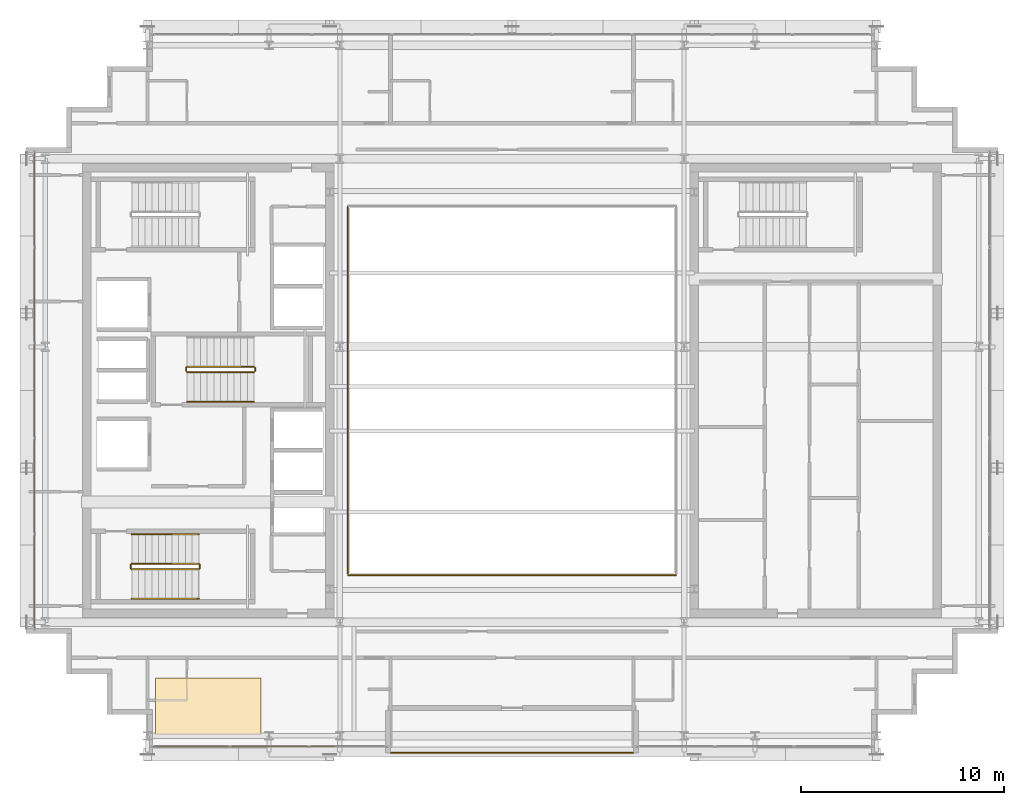
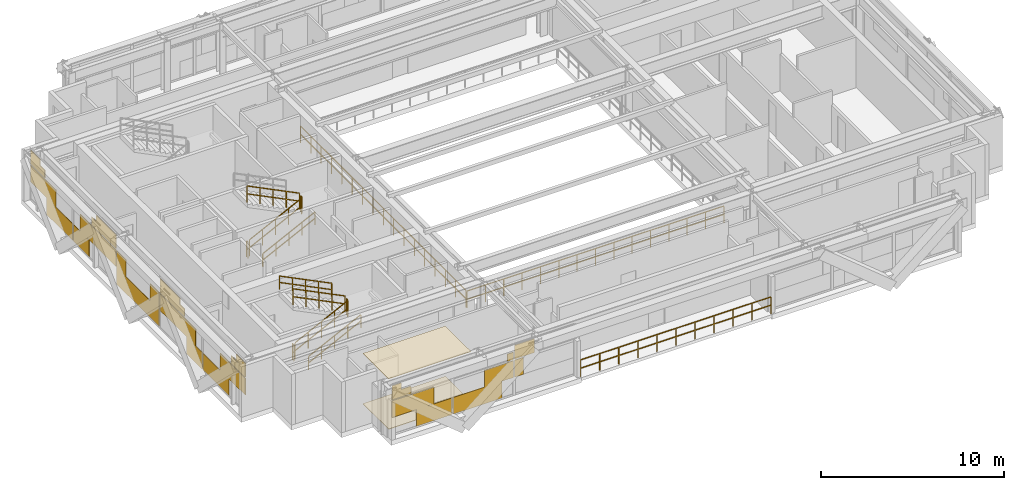
# One storey, part 26 of 29: 14 railings, 4 coverings.
"""IFC4 building model written with IfcOpenShell, lengths in metres."""

from ifc_helpers import new_model, si_unit, direction, frame, origin, origin_2d, place, context, subcontext, project, spatial, polyline, rectangle, outline, extrude, material, layer, layer_set, type_object, element, save


model = new_model("IFC4")

# Units and contexts
model_context = context("Model", 3, precision=1e-05, world=origin(), true_north=direction((0.0, 1.0)))
body_context = subcontext(model_context, "Body", "Model", "MODEL_VIEW")
ifc_project = project(units=[si_unit("LENGTHUNIT", "METRE"), si_unit("AREAUNIT", "SQUARE_METRE"), si_unit("VOLUMEUNIT", "CUBIC_METRE"), si_unit("PLANEANGLEUNIT", "RADIAN"), si_unit("MASSUNIT", "GRAM", prefix="KILO")], contexts=[model_context])

# Site, building, storey
site_placement = place(None, origin())
site = spatial("IfcSite", under=ifc_project, at=site_placement, CompositionType="ELEMENT")
building_placement = place(site_placement, origin())
building = spatial("IfcBuilding", under=site, at=building_placement, Name="Ocotamira Hotel", CompositionType="ELEMENT")
storey_placement = place(building_placement, frame((0.0, 0.0, 247.199951171875)))
storey = spatial("IfcBuildingStorey", under=building, at=storey_placement, Name="L62", CompositionType="ELEMENT", Elevation=247.199951171875)

# Coverings
ifc_material_1 = material(Name="Perforated acoustic gypsum ceiling board", Category="gypsum")
ifc_layer_1 = layer(ifc_material_1, 0.02490234375)
ifc_layer_set_1 = layer_set([ifc_layer_1], Name="Perforated acoustic gypsum ceiling board")
covering_type_1 = type_object("IfcCoveringType", Name="COV-CEIL-25", PredefinedType="CEILING", material=ifc_layer_set_1)
covering_1_placement = place(storey_placement, frame((0.0, 0.0, 3.35498046875)))
element("IfcCovering", 1, at=covering_1_placement, inside=storey, type_object=covering_type_1, Name="L62 Acoustic Ceiling", PredefinedType="CEILING", context=body_context, shape_type="SweptSolid", body=[
    extrude(outline(polyline([(14.39990234375, 9.0), (19.60009765625, 9.0), (19.60009765625, 11.800048828125), (14.39990234375, 11.800048828125), (14.39990234375, 9.0)])), origin(), (0.0, 0.0, 1.0), 0.025146484375),
])
ifc_material_2 = material(Name="Honed desert travertine stone flooring", Category="masonry")
ifc_layer_2 = layer(ifc_material_2, 0.030029296875)
ifc_layer_set_2 = layer_set([ifc_layer_2], Name="Honed desert travertine stone flooring")
covering_type_2 = type_object("IfcCoveringType", Name="COV-FLOR-30", PredefinedType="FLOORING", material=ifc_layer_set_2)
covering_2_placement = place(storey_placement, origin())
element("IfcCovering", 2, at=covering_2_placement, inside=storey, type_object=covering_type_2, Name="L62 Honed Stone Floor Finish", PredefinedType="FLOORING", context=body_context, shape_type="SweptSolid", body=[
    extrude(outline(polyline([(14.39990234375, 9.0), (19.60009765625, 9.0), (19.60009765625, 11.800048828125), (14.39990234375, 11.800048828125), (14.39990234375, 9.0)])), origin(), (0.0, 0.0, 1.0), 0.030029296875),
])
ifc_material_3 = material(Name="Insulated pale-metal aluminium spandrel panel", Category="aluminium")
ifc_layer_3 = layer(ifc_material_3, 0.044921875)
ifc_layer_set_3 = layer_set([ifc_layer_3], Name="Insulated pale-metal aluminium spandrel panel")
covering_type_3 = type_object("IfcCoveringType", Name="COV-INFILL-45", PredefinedType="CLADDING", material=ifc_layer_set_3)
covering_3_placement = place(storey_placement, origin())
element("IfcCovering", 3, at=covering_3_placement, inside=storey, type_object=covering_type_3, Name="L62 Curtain Wall Infill CW-5 CW-L62-S1", PredefinedType="CLADDING", context=body_context, shape_type="SweptSolid", body=[
    extrude(rectangle(XDim=2.625, YDim=0.044921875, at=origin_2d()), frame((15.593017578125, 8.419921875, 1.1943359375), z_axis=(0.0, 0.0, 1.0), x_axis=(1.0, 0.0, 0.0)), (0.0, 0.0, 1.0), 1.11767578125),
    extrude(rectangle(XDim=2.238525390625, YDim=0.044921875, at=origin_2d()), frame((16.923583984375, 8.419921875, 0.07568359375), z_axis=(0.0, 0.0, 1.0), x_axis=(1.0, 0.0, 0.0)), (0.0, 0.0, 1.0), 1.117919921875),
    extrude(rectangle(XDim=1.173095703125, YDim=0.044921875, at=origin_2d()), frame((14.8671875, 8.419921875, 2.38818359375), z_axis=(0.0, 0.0, 1.0), x_axis=(1.0, 0.0, 0.0)), (0.0, 0.0, 1.0), 0.487060546875),
    extrude(rectangle(XDim=0.57958984375, YDim=0.044921875, at=origin_2d()), frame((14.5703125, 8.419921875, 2.8759765625), z_axis=(0.0, 0.0, 1.0), x_axis=(1.0, 0.0, 0.0)), (0.0, 0.0, 1.0), 0.428466796875),
    extrude(rectangle(XDim=3.072021484375, YDim=0.044921875, at=origin_2d()), frame((19.659912109375, 8.419921875, 0.07568359375), z_axis=(0.0, 0.0, 1.0), x_axis=(1.0, 0.0, 0.0)), (0.0, 0.0, 1.0), 1.117919921875),
    extrude(rectangle(XDim=1.831787109375, YDim=0.044921875, at=origin_2d()), frame((21.01025390625, 8.419921875, 1.1943359375), z_axis=(0.0, 0.0, 1.0), x_axis=(1.0, 0.0, 0.0)), (0.0, 0.0, 1.0), 1.11767578125),
    extrude(rectangle(XDim=0.3798828125, YDim=0.044921875, at=origin_2d()), frame((21.736328125, 8.419921875, 2.38818359375), z_axis=(0.0, 0.0, 1.0), x_axis=(1.0, 0.0, 0.0)), (0.0, 0.0, 1.0), 0.487060546875),
    extrude(rectangle(XDim=0.54931640625, YDim=0.044921875, at=origin_2d()), frame((22.28173828125, 8.419921875, 1.1943359375), z_axis=(0.0, 0.0, 1.0), x_axis=(1.0, 0.0, 0.0)), (0.0, 0.0, 1.0), 1.11767578125),
    extrude(rectangle(XDim=1.23388671875, YDim=0.044921875, at=origin_2d()), frame((22.6240234375, 8.419921875, 2.387939453125), z_axis=(0.0, 0.0, 1.0), x_axis=(1.0, 0.0, 0.0)), (0.0, 0.0, 1.0), 0.91650390625),
])
covering_4_placement = place(storey_placement, origin())
element("IfcCovering", 4, at=covering_4_placement, inside=storey, type_object=covering_type_3, Name="L62 Curtain Wall Infill CW-5 CW-L62-W", PredefinedType="CLADDING", context=body_context, shape_type="SweptSolid", body=[
    extrude(rectangle(XDim=2.76904296875, YDim=0.044921875, at=origin_2d()), frame((8.419921875, 15.6650390625, 1.1943359375), z_axis=(0.0, 0.0, 1.0), x_axis=(0.0, 1.0, 0.0)), (0.0, 0.0, 1.0), 1.11767578125),
    extrude(rectangle(XDim=2.834716796875, YDim=0.044921875, at=origin_2d()), frame((8.419921875, 17.462158203125, 0.07568359375), z_axis=(0.0, 0.0, 1.0), x_axis=(0.0, 1.0, 0.0)), (0.0, 0.0, 1.0), 1.117919921875),
    extrude(rectangle(XDim=1.53759765625, YDim=0.044921875, at=origin_2d()), frame((8.419921875, 15.04931640625, 2.38818359375), z_axis=(0.0, 0.0, 1.0), x_axis=(0.0, 1.0, 0.0)), (0.0, 0.0, 1.0), 0.507568359375),
    extrude(rectangle(XDim=1.01318359375, YDim=0.044921875, at=origin_2d()), frame((8.419921875, 14.787109375, 2.896484375), z_axis=(0.0, 0.0, 1.0), x_axis=(0.0, 1.0, 0.0)), (0.0, 0.0, 1.0), 0.407958984375),
    extrude(rectangle(XDim=1.727783203125, YDim=0.044921875, at=origin_2d()), frame((8.419921875, 19.824462890625, 0.07568359375), z_axis=(0.0, 0.0, 1.0), x_axis=(0.0, 1.0, 0.0)), (0.0, 0.0, 1.0), 1.117919921875),
    extrude(rectangle(XDim=3.916015625, YDim=0.044921875, at=origin_2d()), frame((8.419921875, 21.6416015625, 1.1943359375), z_axis=(0.0, 0.0, 1.0), x_axis=(0.0, 1.0, 0.0)), (0.0, 0.0, 1.0), 1.11767578125),
    extrude(rectangle(XDim=2.6845703125, YDim=0.044921875, at=origin_2d()), frame((8.419921875, 22.25732421875, 2.38818359375), z_axis=(0.0, 0.0, 1.0), x_axis=(0.0, 1.0, 0.0)), (0.0, 0.0, 1.0), 0.507568359375),
    extrude(rectangle(XDim=2.159912109375, YDim=0.044921875, at=origin_2d()), frame((8.419921875, 22.51953125, 2.896484375), z_axis=(0.0, 0.0, 1.0), x_axis=(0.0, 1.0, 0.0)), (0.0, 0.0, 1.0), 0.407958984375),
    extrude(rectangle(XDim=4.638916015625, YDim=0.044921875, at=origin_2d()), frame((8.419921875, 26.0, 0.07568359375), z_axis=(0.0, 0.0, 1.0), x_axis=(0.0, 1.0, 0.0)), (0.0, 0.0, 1.0), 1.117919921875),
    extrude(rectangle(XDim=1.00244140625, YDim=0.044921875, at=origin_2d()), frame((8.419921875, 24.181640625, 1.1943359375), z_axis=(0.0, 0.0, 1.0), x_axis=(0.0, 1.0, 0.0)), (0.0, 0.0, 1.0), 1.11767578125),
    extrude(rectangle(XDim=1.00244140625, YDim=0.044921875, at=origin_2d()), frame((8.419921875, 27.818359375, 1.1943359375), z_axis=(0.0, 0.0, 1.0), x_axis=(0.0, 1.0, 0.0)), (0.0, 0.0, 1.0), 1.11767578125),
    extrude(rectangle(XDim=3.916015625, YDim=0.044921875, at=origin_2d()), frame((8.419921875, 30.3583984375, 1.1943359375), z_axis=(0.0, 0.0, 1.0), x_axis=(0.0, 1.0, 0.0)), (0.0, 0.0, 1.0), 1.11767578125),
    extrude(rectangle(XDim=1.727783203125, YDim=0.044921875, at=origin_2d()), frame((8.419921875, 32.175537109375, 0.07568359375), z_axis=(0.0, 0.0, 1.0), x_axis=(0.0, 1.0, 0.0)), (0.0, 0.0, 1.0), 1.117919921875),
    extrude(rectangle(XDim=2.6845703125, YDim=0.044921875, at=origin_2d()), frame((8.419921875, 29.74267578125, 2.38818359375), z_axis=(0.0, 0.0, 1.0), x_axis=(0.0, 1.0, 0.0)), (0.0, 0.0, 1.0), 0.507568359375),
    extrude(rectangle(XDim=2.159912109375, YDim=0.044921875, at=origin_2d()), frame((8.419921875, 29.48046875, 2.896484375), z_axis=(0.0, 0.0, 1.0), x_axis=(0.0, 1.0, 0.0)), (0.0, 0.0, 1.0), 0.407958984375),
    extrude(rectangle(XDim=2.834716796875, YDim=0.044921875, at=origin_2d()), frame((8.419921875, 34.537841796875, 0.07568359375), z_axis=(0.0, 0.0, 1.0), x_axis=(0.0, 1.0, 0.0)), (0.0, 0.0, 1.0), 1.117919921875),
    extrude(rectangle(XDim=2.76904296875, YDim=0.044921875, at=origin_2d()), frame((8.419921875, 36.3349609375, 1.1943359375), z_axis=(0.0, 0.0, 1.0), x_axis=(0.0, 1.0, 0.0)), (0.0, 0.0, 1.0), 1.11767578125),
    extrude(rectangle(XDim=1.53759765625, YDim=0.044921875, at=origin_2d()), frame((8.419921875, 36.95068359375, 2.38818359375), z_axis=(0.0, 0.0, 1.0), x_axis=(0.0, 1.0, 0.0)), (0.0, 0.0, 1.0), 0.507568359375),
    extrude(rectangle(XDim=1.01318359375, YDim=0.044921875, at=origin_2d()), frame((8.419921875, 37.212890625, 2.896484375), z_axis=(0.0, 0.0, 1.0), x_axis=(0.0, 1.0, 0.0)), (0.0, 0.0, 1.0), 0.407958984375),
])

# Railings
ifc_material_4 = material(Name="Laminated glass and pale-metal balustrade", Category="glass")
railing_type_1 = type_object("IfcRailingType", Name="RL-BAL-1150", PredefinedType="BALUSTRADE", material=ifc_material_4)
railing_1_placement = place(storey_placement, frame((26.0, 8.10009765625, 0.0)))
element("IfcRailing", 5, at=railing_1_placement, inside=storey, type_object=railing_type_1, Name="L62 Sky Terrace Balustrade 1", PredefinedType="BALUSTRADE", context=body_context, shape_type="SweptSolid", body=[
    extrude(rectangle(XDim=0.048095703125, YDim=0.048095703125, at=origin_2d()), frame((0.0, 0.0, 1.1259765625), z_axis=(1.0, 0.0, 0.0), x_axis=(0.0, 1.0, 0.0)), (0.0, 0.0, 1.0), 12.0),
    extrude(rectangle(XDim=0.048095703125, YDim=0.048095703125, at=origin_2d()), frame((0.0, 0.0, 0.574951171875), z_axis=(1.0, 0.0, 0.0), x_axis=(0.0, 1.0, 0.0)), (0.0, 0.0, 1.0), 12.0),
    extrude(rectangle(XDim=0.0419921875, YDim=0.0419921875, at=origin_2d()), origin(), (0.0, 0.0, 1.0), 1.101806640625),
    extrude(rectangle(XDim=0.0419921875, YDim=0.0419921875, at=origin_2d()), frame((1.199951171875, 0.0, 0.0)), (0.0, 0.0, 1.0), 1.101806640625),
    extrude(rectangle(XDim=0.0419921875, YDim=0.0419921875, at=origin_2d()), frame((2.39990234375, 0.0, 0.0)), (0.0, 0.0, 1.0), 1.101806640625),
    extrude(rectangle(XDim=0.0419921875, YDim=0.0419921875, at=origin_2d()), frame((3.60009765625, 0.0, 0.0)), (0.0, 0.0, 1.0), 1.101806640625),
    extrude(rectangle(XDim=0.0419921875, YDim=0.0419921875, at=origin_2d()), frame((4.800048828125, 0.0, 0.0)), (0.0, 0.0, 1.0), 1.101806640625),
    extrude(rectangle(XDim=0.0419921875, YDim=0.0419921875, at=origin_2d()), frame((6.0, 0.0, 0.0)), (0.0, 0.0, 1.0), 1.101806640625),
    extrude(rectangle(XDim=0.0419921875, YDim=0.0419921875, at=origin_2d()), frame((7.199951171875, 0.0, 0.0)), (0.0, 0.0, 1.0), 1.101806640625),
    extrude(rectangle(XDim=0.0419921875, YDim=0.0419921875, at=origin_2d()), frame((8.39990234375, 0.0, 0.0)), (0.0, 0.0, 1.0), 1.101806640625),
    extrude(rectangle(XDim=0.0419921875, YDim=0.0419921875, at=origin_2d()), frame((9.60009765625, 0.0, 0.0)), (0.0, 0.0, 1.0), 1.101806640625),
    extrude(rectangle(XDim=0.0419921875, YDim=0.0419921875, at=origin_2d()), frame((10.800048828125, 0.0, 0.0)), (0.0, 0.0, 1.0), 1.101806640625),
    extrude(rectangle(XDim=0.0419921875, YDim=0.0419921875, at=origin_2d()), frame((12.0, 0.0, 0.0)), (0.0, 0.0, 1.0), 1.101806640625),
])
ifc_material_5 = material(Name="Painted steel stair guardrail", Category="steel")
railing_type_2 = type_object("IfcRailingType", Name="RL-EDGE-1150", PredefinedType="GUARDRAIL", material=ifc_material_5)
railing_2_placement = place(storey_placement, frame((23.89990234375, 16.8798828125, 0.0)))
element("IfcRailing", 6, at=railing_2_placement, inside=storey, type_object=railing_type_2, Name="L62 Central Atrium Edge Guardrail S", PredefinedType="GUARDRAIL", context=body_context, shape_type="SweptSolid", body=[
    extrude(rectangle(XDim=0.048095703125, YDim=0.048095703125, at=origin_2d()), frame((0.0, 0.0, 1.1259765625), z_axis=(1.0, 0.0, 0.0), x_axis=(0.0, 1.0, 0.0)), (0.0, 0.0, 1.0), 16.2001953125),
    extrude(rectangle(XDim=0.048095703125, YDim=0.048095703125, at=origin_2d()), frame((0.0, 0.0, 0.574951171875), z_axis=(1.0, 0.0, 0.0), x_axis=(0.0, 1.0, 0.0)), (0.0, 0.0, 1.0), 16.2001953125),
    extrude(rectangle(XDim=0.0419921875, YDim=0.0419921875, at=origin_2d()), origin(), (0.0, 0.0, 1.0), 1.101806640625),
    extrude(rectangle(XDim=0.0419921875, YDim=0.0419921875, at=origin_2d()), frame((1.1572265625, 0.0, 0.0)), (0.0, 0.0, 1.0), 1.101806640625),
    extrude(rectangle(XDim=0.0419921875, YDim=0.0419921875, at=origin_2d()), frame((2.314208984375, 0.0, 0.0)), (0.0, 0.0, 1.0), 1.101806640625),
    extrude(rectangle(XDim=0.0419921875, YDim=0.0419921875, at=origin_2d()), frame((3.471435546875, 0.0, 0.0)), (0.0, 0.0, 1.0), 1.101806640625),
    extrude(rectangle(XDim=0.0419921875, YDim=0.0419921875, at=origin_2d()), frame((4.628662109375, 0.0, 0.0)), (0.0, 0.0, 1.0), 1.101806640625),
    extrude(rectangle(XDim=0.0419921875, YDim=0.0419921875, at=origin_2d()), frame((5.785888671875, 0.0, 0.0)), (0.0, 0.0, 1.0), 1.101806640625),
    extrude(rectangle(XDim=0.0419921875, YDim=0.0419921875, at=origin_2d()), frame((6.94287109375, 0.0, 0.0)), (0.0, 0.0, 1.0), 1.101806640625),
    extrude(rectangle(XDim=0.0419921875, YDim=0.0419921875, at=origin_2d()), frame((8.10009765625, 0.0, 0.0)), (0.0, 0.0, 1.0), 1.101806640625),
    extrude(rectangle(XDim=0.0419921875, YDim=0.0419921875, at=origin_2d()), frame((9.25732421875, 0.0, 0.0)), (0.0, 0.0, 1.0), 1.101806640625),
    extrude(rectangle(XDim=0.0419921875, YDim=0.0419921875, at=origin_2d()), frame((10.414306640625, 0.0, 0.0)), (0.0, 0.0, 1.0), 1.101806640625),
    extrude(rectangle(XDim=0.0419921875, YDim=0.0419921875, at=origin_2d()), frame((11.571533203125, 0.0, 0.0)), (0.0, 0.0, 1.0), 1.101806640625),
    extrude(rectangle(XDim=0.0419921875, YDim=0.0419921875, at=origin_2d()), frame((12.728759765625, 0.0, 0.0)), (0.0, 0.0, 1.0), 1.101806640625),
    extrude(rectangle(XDim=0.0419921875, YDim=0.0419921875, at=origin_2d()), frame((13.885986328125, 0.0, 0.0)), (0.0, 0.0, 1.0), 1.101806640625),
    extrude(rectangle(XDim=0.0419921875, YDim=0.0419921875, at=origin_2d()), frame((15.04296875, 0.0, 0.0)), (0.0, 0.0, 1.0), 1.101806640625),
    extrude(rectangle(XDim=0.0419921875, YDim=0.0419921875, at=origin_2d()), frame((16.2001953125, 0.0, 0.0)), (0.0, 0.0, 1.0), 1.101806640625),
])
railing_3_placement = place(storey_placement, frame((23.8798828125, 35.0400390625, 0.0)))
element("IfcRailing", 7, at=railing_3_placement, inside=storey, type_object=railing_type_2, Name="L62 Central Atrium Edge Guardrail W", PredefinedType="GUARDRAIL", context=body_context, shape_type="SweptSolid", body=[
    extrude(rectangle(XDim=0.048095703125, YDim=0.048095703125, at=origin_2d()), frame((0.0, 0.0, 1.1259765625), z_axis=(0.0, -1.0, 0.0), x_axis=(1.0, 0.0, 0.0)), (0.0, 0.0, 1.0), 18.080078125),
    extrude(rectangle(XDim=0.048095703125, YDim=0.048095703125, at=origin_2d()), frame((0.0, 0.0, 0.574951171875), z_axis=(0.0, -1.0, 0.0), x_axis=(1.0, 0.0, 0.0)), (0.0, 0.0, 1.0), 18.080078125),
    extrude(rectangle(XDim=0.0419921875, YDim=0.0419921875, at=origin_2d()), origin(), (0.0, 0.0, 1.0), 1.101806640625),
    extrude(rectangle(XDim=0.0419921875, YDim=0.0419921875, at=origin_2d()), frame((0.0, -1.1298828125, 0.0)), (0.0, 0.0, 1.0), 1.101806640625),
    extrude(rectangle(XDim=0.0419921875, YDim=0.0419921875, at=origin_2d()), frame((0.0, -2.260009765625, 0.0)), (0.0, 0.0, 1.0), 1.101806640625),
    extrude(rectangle(XDim=0.0419921875, YDim=0.0419921875, at=origin_2d()), frame((0.0, -3.39013671875, 0.0)), (0.0, 0.0, 1.0), 1.101806640625),
    extrude(rectangle(XDim=0.0419921875, YDim=0.0419921875, at=origin_2d()), frame((0.0, -4.52001953125, 0.0)), (0.0, 0.0, 1.0), 1.101806640625),
    extrude(rectangle(XDim=0.0419921875, YDim=0.0419921875, at=origin_2d()), frame((0.0, -5.64990234375, 0.0)), (0.0, 0.0, 1.0), 1.101806640625),
    extrude(rectangle(XDim=0.0419921875, YDim=0.0419921875, at=origin_2d()), frame((0.0, -6.780029296875, 0.0)), (0.0, 0.0, 1.0), 1.101806640625),
    extrude(rectangle(XDim=0.0419921875, YDim=0.0419921875, at=origin_2d()), frame((0.0, -7.91015625, 0.0)), (0.0, 0.0, 1.0), 1.101806640625),
    extrude(rectangle(XDim=0.0419921875, YDim=0.0419921875, at=origin_2d()), frame((0.0, -9.0400390625, 0.0)), (0.0, 0.0, 1.0), 1.101806640625),
    extrude(rectangle(XDim=0.0419921875, YDim=0.0419921875, at=origin_2d()), frame((0.0, -10.169921875, 0.0)), (0.0, 0.0, 1.0), 1.101806640625),
    extrude(rectangle(XDim=0.0419921875, YDim=0.0419921875, at=origin_2d()), frame((0.0, -11.300048828125, 0.0)), (0.0, 0.0, 1.0), 1.101806640625),
    extrude(rectangle(XDim=0.0419921875, YDim=0.0419921875, at=origin_2d()), frame((0.0, -12.43017578125, 0.0)), (0.0, 0.0, 1.0), 1.101806640625),
    extrude(rectangle(XDim=0.0419921875, YDim=0.0419921875, at=origin_2d()), frame((0.0, -13.56005859375, 0.0)), (0.0, 0.0, 1.0), 1.101806640625),
    extrude(rectangle(XDim=0.0419921875, YDim=0.0419921875, at=origin_2d()), frame((0.0, -14.68994140625, 0.0)), (0.0, 0.0, 1.0), 1.101806640625),
    extrude(rectangle(XDim=0.0419921875, YDim=0.0419921875, at=origin_2d()), frame((0.0, -15.820068359375, 0.0)), (0.0, 0.0, 1.0), 1.101806640625),
    extrude(rectangle(XDim=0.0419921875, YDim=0.0419921875, at=origin_2d()), frame((0.0, -16.9501953125, 0.0)), (0.0, 0.0, 1.0), 1.101806640625),
    extrude(rectangle(XDim=0.0419921875, YDim=0.0419921875, at=origin_2d()), frame((0.0, -18.080078125, 0.0)), (0.0, 0.0, 1.0), 1.101806640625),
])
ifc_material_6 = material(Name="Brushed stainless steel handrail", Category="steel")
railing_type_3 = type_object("IfcRailingType", Name="RL-HAND-900", PredefinedType="HANDRAIL", material=ifc_material_6)
railing_4_placement = place(storey_placement, frame((13.22998046875, 15.719970703125, 0.327392578125)))
element("IfcRailing", 8, at=railing_4_placement, inside=storey, type_object=railing_type_3, Name="L62 ST-1 stair handrail 1", PredefinedType="HANDRAIL", context=body_context, shape_type="SweptSolid", body=[
    extrude(rectangle(XDim=0.048095703125, YDim=0.048095703125, at=origin_2d()), frame((0.0, 0.0, 0.8759765625), z_axis=(0.895920123917, 0.0, 0.444215186098), x_axis=(0.0, 1.0, 0.0)), (0.0, 0.0, 1.0), 3.683349609375),
    extrude(rectangle(XDim=0.048095703125, YDim=0.048095703125, at=origin_2d()), frame((0.0, 0.0, 0.449951171875), z_axis=(0.895920123917, 0.0, 0.444215186098), x_axis=(0.0, 1.0, 0.0)), (0.0, 0.0, 1.0), 3.683349609375),
    extrude(rectangle(XDim=0.0419921875, YDim=0.0419921875, at=origin_2d()), origin(), (0.0, 0.0, 1.0), 0.851806640625),
    extrude(rectangle(XDim=0.0419921875, YDim=0.0419921875, at=origin_2d()), frame((0.824951171875, 0.0, 0.4091796875)), (0.0, 0.0, 1.0), 0.851806640625),
    extrude(rectangle(XDim=0.0419921875, YDim=0.0419921875, at=origin_2d()), frame((1.64990234375, 0.0, 0.818115234375)), (0.0, 0.0, 1.0), 0.851806640625),
    extrude(rectangle(XDim=0.0419921875, YDim=0.0419921875, at=origin_2d()), frame((2.47509765625, 0.0, 1.22705078125)), (0.0, 0.0, 1.0), 0.851806640625),
    extrude(rectangle(XDim=0.0419921875, YDim=0.0419921875, at=origin_2d()), frame((3.300048828125, 0.0, 1.63623046875)), (0.0, 0.0, 1.0), 0.851806640625),
])
railing_5_placement = place(storey_placement, frame((16.530029296875, 18.89990234375, 2.12744140625)))
element("IfcRailing", 9, at=railing_5_placement, inside=storey, type_object=railing_type_3, Name="L62 ST-1 stair handrail 2", PredefinedType="HANDRAIL", context=body_context, shape_type="SweptSolid", body=[
    extrude(rectangle(XDim=0.048095703125, YDim=0.048095703125, at=origin_2d()), frame((0.0, 0.0, 0.8759765625), z_axis=(-0.895920123917, 0.0, 0.444215186098), x_axis=(0.0, -1.0, 0.0)), (0.0, 0.0, 1.0), 3.683349609375),
    extrude(rectangle(XDim=0.048095703125, YDim=0.048095703125, at=origin_2d()), frame((0.0, 0.0, 0.449951171875), z_axis=(-0.895920123917, 0.0, 0.444215186098), x_axis=(0.0, -1.0, 0.0)), (0.0, 0.0, 1.0), 3.683349609375),
    extrude(rectangle(XDim=0.0419921875, YDim=0.0419921875, at=origin_2d()), origin(), (0.0, 0.0, 1.0), 0.851806640625),
    extrude(rectangle(XDim=0.0419921875, YDim=0.0419921875, at=origin_2d()), frame((-0.824951171875, 0.0, 0.4091796875)), (0.0, 0.0, 1.0), 0.851806640625),
    extrude(rectangle(XDim=0.0419921875, YDim=0.0419921875, at=origin_2d()), frame((-1.64990234375, 0.0, 0.818115234375)), (0.0, 0.0, 1.0), 0.851806640625),
    extrude(rectangle(XDim=0.0419921875, YDim=0.0419921875, at=origin_2d()), frame((-2.47509765625, 0.0, 1.22705078125)), (0.0, 0.0, 1.0), 0.851806640625),
    extrude(rectangle(XDim=0.0419921875, YDim=0.0419921875, at=origin_2d()), frame((-3.300048828125, 0.0, 1.63623046875)), (0.0, 0.0, 1.0), 0.851806640625),
])
railing_6_placement = place(storey_placement, frame((15.9599609375, 25.449951171875, 0.327392578125)))
element("IfcRailing", 10, at=railing_6_placement, inside=storey, type_object=railing_type_3, Name="L62 ST-3 stair handrail 1", PredefinedType="HANDRAIL", context=body_context, shape_type="SweptSolid", body=[
    extrude(rectangle(XDim=0.048095703125, YDim=0.048095703125, at=origin_2d()), frame((0.0, 0.0, 0.8759765625), z_axis=(0.895920123917, 0.0, 0.444215186098), x_axis=(0.0, 1.0, 0.0)), (0.0, 0.0, 1.0), 3.683349609375),
    extrude(rectangle(XDim=0.048095703125, YDim=0.048095703125, at=origin_2d()), frame((0.0, 0.0, 0.449951171875), z_axis=(0.895920123917, 0.0, 0.444215186098), x_axis=(0.0, 1.0, 0.0)), (0.0, 0.0, 1.0), 3.683349609375),
    extrude(rectangle(XDim=0.0419921875, YDim=0.0419921875, at=origin_2d()), origin(), (0.0, 0.0, 1.0), 0.851806640625),
    extrude(rectangle(XDim=0.0419921875, YDim=0.0419921875, at=origin_2d()), frame((0.824951171875, 0.0, 0.4091796875)), (0.0, 0.0, 1.0), 0.851806640625),
    extrude(rectangle(XDim=0.0419921875, YDim=0.0419921875, at=origin_2d()), frame((1.64990234375, 0.0, 0.818115234375)), (0.0, 0.0, 1.0), 0.851806640625),
    extrude(rectangle(XDim=0.0419921875, YDim=0.0419921875, at=origin_2d()), frame((2.47509765625, 0.0, 1.22705078125)), (0.0, 0.0, 1.0), 0.851806640625),
    extrude(rectangle(XDim=0.0419921875, YDim=0.0419921875, at=origin_2d()), frame((3.300048828125, 0.0, 1.63623046875)), (0.0, 0.0, 1.0), 0.851806640625),
])
railing_type_4 = type_object("IfcRailingType", Name="RL-STAIR-1100", PredefinedType="GUARDRAIL", material=ifc_material_5)
railing_7_placement = place(storey_placement, frame((13.22998046875, 17.179931640625, 0.16357421875)))
element("IfcRailing", 11, at=railing_7_placement, inside=storey, type_object=railing_type_4, Name="L62 ST-1 stair guard 1", PredefinedType="GUARDRAIL", context=body_context, shape_type="SweptSolid", body=[
    extrude(rectangle(XDim=0.048095703125, YDim=0.048095703125, at=origin_2d()), frame((0.0, 0.0, 1.076171875), z_axis=(0.895893744519, 0.0, 0.4442683857), x_axis=(0.0, 1.0, 0.0)), (0.0, 0.0, 1.0), 3.68359375),
    extrude(rectangle(XDim=0.048095703125, YDim=0.048095703125, at=origin_2d()), frame((0.0, 0.0, 0.550048828125), z_axis=(0.895893744519, 0.0, 0.4442683857), x_axis=(0.0, 1.0, 0.0)), (0.0, 0.0, 1.0), 3.68359375),
    extrude(rectangle(XDim=0.0419921875, YDim=0.0419921875, at=origin_2d()), origin(), (0.0, 0.0, 1.0), 1.052001953125),
    extrude(rectangle(XDim=0.0419921875, YDim=0.0419921875, at=origin_2d()), frame((0.824951171875, 0.0, 0.4091796875)), (0.0, 0.0, 1.0), 1.052001953125),
    extrude(rectangle(XDim=0.0419921875, YDim=0.0419921875, at=origin_2d()), frame((1.64990234375, 0.0, 0.818359375)), (0.0, 0.0, 1.0), 1.052001953125),
    extrude(rectangle(XDim=0.0419921875, YDim=0.0419921875, at=origin_2d()), frame((2.47509765625, 0.0, 1.227294921875)), (0.0, 0.0, 1.0), 1.052001953125),
    extrude(rectangle(XDim=0.0419921875, YDim=0.0419921875, at=origin_2d()), frame((3.300048828125, 0.0, 1.636474609375)), (0.0, 0.0, 1.0), 1.052001953125),
])
railing_8_placement = place(storey_placement, frame((16.580078125, 17.22998046875, 1.800048828125)))
element("IfcRailing", 12, at=railing_8_placement, inside=storey, type_object=railing_type_4, Name="L62 ST-1 stair guard 2", PredefinedType="GUARDRAIL", context=body_context, shape_type="SweptSolid", body=[
    extrude(rectangle(XDim=0.048095703125, YDim=0.048095703125, at=origin_2d()), frame((0.0, 0.0, 1.076171875), z_axis=(0.0, 1.0, 0.0), x_axis=(-1.0, 0.0, 0.0)), (0.0, 0.0, 1.0), 0.159912109375),
    extrude(rectangle(XDim=0.048095703125, YDim=0.048095703125, at=origin_2d()), frame((0.0, 0.0, 0.550048828125), z_axis=(0.0, 1.0, 0.0), x_axis=(-1.0, 0.0, 0.0)), (0.0, 0.0, 1.0), 0.159912109375),
    extrude(rectangle(XDim=0.0419921875, YDim=0.0419921875, at=origin_2d()), origin(), (0.0, 0.0, 1.0), 1.052001953125),
    extrude(rectangle(XDim=0.0419921875, YDim=0.0419921875, at=origin_2d()), frame((0.0, 0.159912109375, 0.0)), (0.0, 0.0, 1.0), 1.052001953125),
])
railing_9_placement = place(storey_placement, frame((16.530029296875, 17.43994140625, 1.963623046875)))
element("IfcRailing", 13, at=railing_9_placement, inside=storey, type_object=railing_type_4, Name="L62 ST-1 stair guard 3", PredefinedType="GUARDRAIL", context=body_context, shape_type="SweptSolid", body=[
    extrude(rectangle(XDim=0.048095703125, YDim=0.048095703125, at=origin_2d()), frame((0.0, 0.0, 1.076171875), z_axis=(-0.895893744519, 0.0, 0.4442683857), x_axis=(0.0, -1.0, 0.0)), (0.0, 0.0, 1.0), 3.68359375),
    extrude(rectangle(XDim=0.048095703125, YDim=0.048095703125, at=origin_2d()), frame((0.0, 0.0, 0.550048828125), z_axis=(-0.895893744519, 0.0, 0.4442683857), x_axis=(0.0, -1.0, 0.0)), (0.0, 0.0, 1.0), 3.68359375),
    extrude(rectangle(XDim=0.0419921875, YDim=0.0419921875, at=origin_2d()), origin(), (0.0, 0.0, 1.0), 1.052001953125),
    extrude(rectangle(XDim=0.0419921875, YDim=0.0419921875, at=origin_2d()), frame((-0.824951171875, 0.0, 0.4091796875)), (0.0, 0.0, 1.0), 1.052001953125),
    extrude(rectangle(XDim=0.0419921875, YDim=0.0419921875, at=origin_2d()), frame((-1.64990234375, 0.0, 0.818359375)), (0.0, 0.0, 1.0), 1.052001953125),
    extrude(rectangle(XDim=0.0419921875, YDim=0.0419921875, at=origin_2d()), frame((-2.47509765625, 0.0, 1.227294921875)), (0.0, 0.0, 1.0), 1.052001953125),
    extrude(rectangle(XDim=0.0419921875, YDim=0.0419921875, at=origin_2d()), frame((-3.300048828125, 0.0, 1.636474609375)), (0.0, 0.0, 1.0), 1.052001953125),
])
railing_10_placement = place(storey_placement, frame((13.179931640625, 17.22998046875, 0.0)))
element("IfcRailing", 14, at=railing_10_placement, inside=storey, type_object=railing_type_4, Name="L62 ST-1 stair guard 4", PredefinedType="GUARDRAIL", context=body_context, shape_type="SweptSolid", body=[
    extrude(rectangle(XDim=0.048095703125, YDim=0.048095703125, at=origin_2d()), frame((0.0, 0.0, 1.076171875), z_axis=(0.0, 1.0, 0.0), x_axis=(-1.0, 0.0, 0.0)), (0.0, 0.0, 1.0), 0.159912109375),
    extrude(rectangle(XDim=0.048095703125, YDim=0.048095703125, at=origin_2d()), frame((0.0, 0.0, 0.550048828125), z_axis=(0.0, 1.0, 0.0), x_axis=(-1.0, 0.0, 0.0)), (0.0, 0.0, 1.0), 0.159912109375),
    extrude(rectangle(XDim=0.0419921875, YDim=0.0419921875, at=origin_2d()), origin(), (0.0, 0.0, 1.0), 1.052001953125),
    extrude(rectangle(XDim=0.0419921875, YDim=0.0419921875, at=origin_2d()), frame((0.0, 0.159912109375, 0.0)), (0.0, 0.0, 1.0), 1.052001953125),
])
railing_11_placement = place(storey_placement, frame((15.9599609375, 26.909912109375, 0.16357421875)))
element("IfcRailing", 15, at=railing_11_placement, inside=storey, type_object=railing_type_4, Name="L62 ST-3 stair guard 1", PredefinedType="GUARDRAIL", context=body_context, shape_type="SweptSolid", body=[
    extrude(rectangle(XDim=0.048095703125, YDim=0.048095703125, at=origin_2d()), frame((0.0, 0.0, 1.076171875), z_axis=(0.895893744519, 0.0, 0.4442683857), x_axis=(0.0, 1.0, 0.0)), (0.0, 0.0, 1.0), 3.68359375),
    extrude(rectangle(XDim=0.048095703125, YDim=0.048095703125, at=origin_2d()), frame((0.0, 0.0, 0.550048828125), z_axis=(0.895893744519, 0.0, 0.4442683857), x_axis=(0.0, 1.0, 0.0)), (0.0, 0.0, 1.0), 3.68359375),
    extrude(rectangle(XDim=0.0419921875, YDim=0.0419921875, at=origin_2d()), origin(), (0.0, 0.0, 1.0), 1.052001953125),
    extrude(rectangle(XDim=0.0419921875, YDim=0.0419921875, at=origin_2d()), frame((0.824951171875, 0.0, 0.4091796875)), (0.0, 0.0, 1.0), 1.052001953125),
    extrude(rectangle(XDim=0.0419921875, YDim=0.0419921875, at=origin_2d()), frame((1.64990234375, 0.0, 0.818359375)), (0.0, 0.0, 1.0), 1.052001953125),
    extrude(rectangle(XDim=0.0419921875, YDim=0.0419921875, at=origin_2d()), frame((2.47509765625, 0.0, 1.227294921875)), (0.0, 0.0, 1.0), 1.052001953125),
    extrude(rectangle(XDim=0.0419921875, YDim=0.0419921875, at=origin_2d()), frame((3.300048828125, 0.0, 1.636474609375)), (0.0, 0.0, 1.0), 1.052001953125),
])
railing_12_placement = place(storey_placement, frame((19.31005859375, 26.9599609375, 1.800048828125)))
element("IfcRailing", 16, at=railing_12_placement, inside=storey, type_object=railing_type_4, Name="L62 ST-3 stair guard 2", PredefinedType="GUARDRAIL", context=body_context, shape_type="SweptSolid", body=[
    extrude(rectangle(XDim=0.048095703125, YDim=0.048095703125, at=origin_2d()), frame((0.0, 0.0, 1.076171875), z_axis=(0.0, 1.0, 0.0), x_axis=(-1.0, 0.0, 0.0)), (0.0, 0.0, 1.0), 0.16015625),
    extrude(rectangle(XDim=0.048095703125, YDim=0.048095703125, at=origin_2d()), frame((0.0, 0.0, 0.550048828125), z_axis=(0.0, 1.0, 0.0), x_axis=(-1.0, 0.0, 0.0)), (0.0, 0.0, 1.0), 0.16015625),
    extrude(rectangle(XDim=0.0419921875, YDim=0.0419921875, at=origin_2d()), origin(), (0.0, 0.0, 1.0), 1.052001953125),
    extrude(rectangle(XDim=0.0419921875, YDim=0.0419921875, at=origin_2d()), frame((0.0, 0.16015625, 0.0)), (0.0, 0.0, 1.0), 1.052001953125),
])
railing_13_placement = place(storey_placement, frame((19.260009765625, 27.169921875, 1.963623046875)))
element("IfcRailing", 17, at=railing_13_placement, inside=storey, type_object=railing_type_4, Name="L62 ST-3 stair guard 3", PredefinedType="GUARDRAIL", context=body_context, shape_type="SweptSolid", body=[
    extrude(rectangle(XDim=0.048095703125, YDim=0.048095703125, at=origin_2d()), frame((0.0, 0.0, 1.076171875), z_axis=(-0.895893744519, 0.0, 0.4442683857), x_axis=(0.0, -1.0, 0.0)), (0.0, 0.0, 1.0), 3.68359375),
    extrude(rectangle(XDim=0.048095703125, YDim=0.048095703125, at=origin_2d()), frame((0.0, 0.0, 0.550048828125), z_axis=(-0.895893744519, 0.0, 0.4442683857), x_axis=(0.0, -1.0, 0.0)), (0.0, 0.0, 1.0), 3.68359375),
    extrude(rectangle(XDim=0.0419921875, YDim=0.0419921875, at=origin_2d()), origin(), (0.0, 0.0, 1.0), 1.052001953125),
    extrude(rectangle(XDim=0.0419921875, YDim=0.0419921875, at=origin_2d()), frame((-0.824951171875, 0.0, 0.4091796875)), (0.0, 0.0, 1.0), 1.052001953125),
    extrude(rectangle(XDim=0.0419921875, YDim=0.0419921875, at=origin_2d()), frame((-1.64990234375, 0.0, 0.818359375)), (0.0, 0.0, 1.0), 1.052001953125),
    extrude(rectangle(XDim=0.0419921875, YDim=0.0419921875, at=origin_2d()), frame((-2.47509765625, 0.0, 1.227294921875)), (0.0, 0.0, 1.0), 1.052001953125),
    extrude(rectangle(XDim=0.0419921875, YDim=0.0419921875, at=origin_2d()), frame((-3.300048828125, 0.0, 1.636474609375)), (0.0, 0.0, 1.0), 1.052001953125),
])
railing_14_placement = place(storey_placement, frame((15.909912109375, 26.9599609375, 0.0)))
element("IfcRailing", 18, at=railing_14_placement, inside=storey, type_object=railing_type_4, Name="L62 ST-3 stair guard 4", PredefinedType="GUARDRAIL", context=body_context, shape_type="SweptSolid", body=[
    extrude(rectangle(XDim=0.048095703125, YDim=0.048095703125, at=origin_2d()), frame((0.0, 0.0, 1.076171875), z_axis=(0.0, 1.0, 0.0), x_axis=(-1.0, 0.0, 0.0)), (0.0, 0.0, 1.0), 0.16015625),
    extrude(rectangle(XDim=0.048095703125, YDim=0.048095703125, at=origin_2d()), frame((0.0, 0.0, 0.550048828125), z_axis=(0.0, 1.0, 0.0), x_axis=(-1.0, 0.0, 0.0)), (0.0, 0.0, 1.0), 0.16015625),
    extrude(rectangle(XDim=0.0419921875, YDim=0.0419921875, at=origin_2d()), origin(), (0.0, 0.0, 1.0), 1.052001953125),
    extrude(rectangle(XDim=0.0419921875, YDim=0.0419921875, at=origin_2d()), frame((0.0, 0.16015625, 0.0)), (0.0, 0.0, 1.0), 1.052001953125),
])

save(model, "model.ifc")
